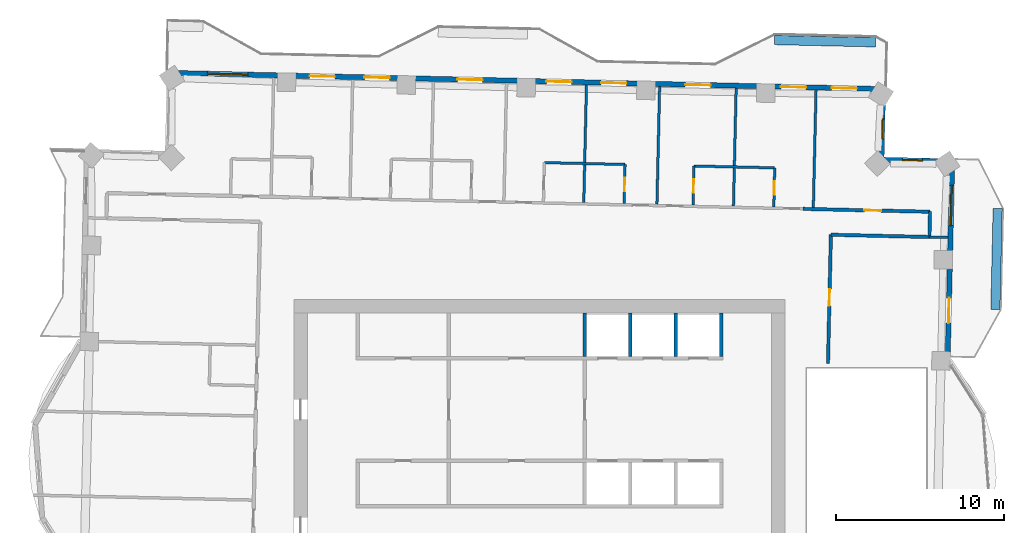
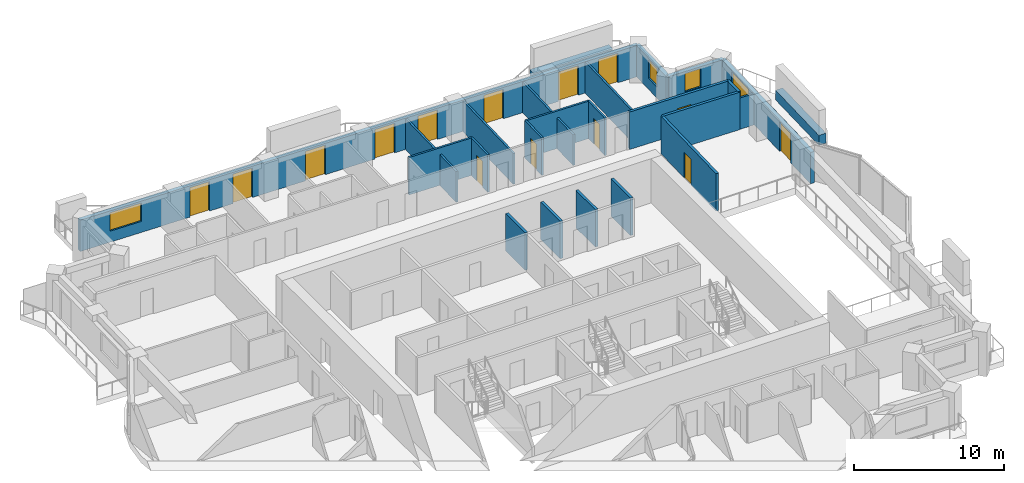
# One storey, part 9 of 14: 24 walls, 14 doors, 4 windows, 18 openings.
"""IFC4 building model written with IfcOpenShell, lengths in metres."""

from ifc_helpers import new_model, si_unit, direction, frame, frame_2d, origin, place, context, subcontext, project, spatial, rectangle, extrude, material, layer, layer_set, type_object, element, fill, save


model = new_model("IFC4")

# Units and contexts
model_context = context("Model", 3, precision=1e-05, world=origin(), true_north=direction((0.0, 1.0)))
body_context = subcontext(model_context, "Body", "Model", "MODEL_VIEW")
ifc_project = project(units=[si_unit("LENGTHUNIT", "METRE"), si_unit("AREAUNIT", "SQUARE_METRE"), si_unit("VOLUMEUNIT", "CUBIC_METRE"), si_unit("PLANEANGLEUNIT", "RADIAN"), si_unit("MASSUNIT", "GRAM", prefix="KILO")], contexts=[model_context])

# Site, building, storey
site_placement = place(None, origin())
site = spatial("IfcSite", under=ifc_project, at=site_placement, CompositionType="ELEMENT")
building_placement = place(site_placement, origin())
building = spatial("IfcBuilding", under=site, at=building_placement, Name="Mangrove Gate Tower", CompositionType="ELEMENT")
storey_placement = place(building_placement, frame((0.0, 0.0, 208.699951171875)))
storey = spatial("IfcBuildingStorey", under=building, at=storey_placement, Name="L53", CompositionType="ELEMENT", Elevation=208.699951171875)

# Walls
ifc_material_1 = material(Name="Concrete C60/75", Category="concrete")
ifc_layer_1 = layer(ifc_material_1, 0.199951171875)
ifc_layer_set_1 = layer_set([ifc_layer_1], Name="Core shaft wall 200 C60/75")
wall_type_1 = type_object("IfcWallType", Name="Core shaft wall 200 C60/75", PredefinedType="SHEAR", material=ifc_layer_set_1)
for number, where, z_axis, x_axis, name in (
    (1, (2.699951171875, 8.199951171875, 0.0), (0.0, 0.0, 1.0), (0.0, 1.0, 0.0), "WALL-L53-CORE-27"),
    (2, (5.39990234375, 8.199951171875, 0.0), (0.0, 0.0, 1.0), (0.0, 1.0, 0.0), "WALL-L53-CORE-28"),
    (3, (8.10009765625, 8.199951171875, 0.0), (0.0, 0.0, 1.0), (0.0, 1.0, 0.0), "WALL-L53-CORE-29"),
    (4, (10.800048828125, 8.199951171875, 0.0), (0.0, 0.0, 1.0), (0.0, 1.0, 0.0), "WALL-L53-CORE-30"),
):
    element("IfcWall", number, at=place(storey_placement, frame(where, z_axis=z_axis, x_axis=x_axis)), inside=storey, type_object=wall_type_1, Name=name, PredefinedType="SHEAR", context=body_context, shape_type="SweptSolid", body=[
        extrude(rectangle(XDim=2.60009765625, YDim=0.199951171875, at=frame_2d((1.300048828125, 0.0))), origin(), (0.0, 0.0, 1.0), 3.050048828125),
    ])

# Wall, opening, door
ifc_material_2 = material(Name="Gypsum board on steel stud, EI 60", Category="steel")
ifc_layer_2 = layer(ifc_material_2, 0.199951171875)
ifc_layer_set_2 = layer_set([ifc_layer_2], Name="Corridor wall EI 60")
wall_type_2 = type_object("IfcWallType", Name="Corridor wall EI 60", PredefinedType="PARTITIONING", material=ifc_layer_set_2)
wall_1_placement = place(storey_placement, frame((17.154052734375, 7.785888671875, 0.0), z_axis=(0.0, 0.0, 1.0), x_axis=(0.022680883318, 0.999742755679, 0.0)))
wall_1 = element("IfcWall", 5, at=wall_1_placement, inside=storey, type_object=wall_type_2, Name="WALL-L53-043", PredefinedType="PARTITIONING", context=body_context, shape_type="SweptSolid", body=[
    extrude(rectangle(XDim=7.6640625, YDim=0.199951171875, at=frame_2d((3.83203125, 0.0))), origin(), (0.0, 0.0, 1.0), 3.050048828125),
])
opening_1_placement = place(wall_1_placement, frame((3.43408203125, 0.0, 0.0)))
opening_1 = element("IfcOpeningElement", 6, at=opening_1_placement, cuts=wall_1, Name="Opening AD", PredefinedType="OPENING", context=body_context, shape_type="SweptSolid", body=[
    extrude(rectangle(XDim=1.0, YDim=2.10009765625, at=frame_2d((0.5, 1.050048828125))), frame((0.0, 0.10986328125, 0.0), z_axis=(0.0, -1.0, 0.0), x_axis=(1.0, 0.0, 0.0)), (0.0, 0.0, 1.0), 0.219970703125),
])
ifc_material_3 = material(Name="Timber door leaf", Category="wood")
door_type_1 = type_object("IfcDoorType", Name="Amenity door 1000", OperationType="SINGLE_SWING_LEFT", PredefinedType="DOOR", material=ifc_material_3)
door_1_placement = place(opening_1_placement, origin())
door_1 = element("IfcDoor", 7, at=door_1_placement, inside=storey, type_object=door_type_1, Name="DOOR-L53-LNG-c3b", OperationType="SINGLE_SWING_RIGHT", OverallHeight=2.10009765625, OverallWidth=1.0, PredefinedType="DOOR", context=body_context, shape_type="SweptSolid", body=[
    extrude(rectangle(XDim=1.0, YDim=2.10009765625, at=frame_2d((0.5, 1.050048828125))), frame((0.0, 0.02490234375, 0.0), z_axis=(0.0, -1.0, 0.0), x_axis=(1.0, 0.0, 0.0)), (0.0, 0.0, 1.0), 0.050048828125),
])
fill(opening_1, door_1)

# Walls
wall_2_placement = place(storey_placement, frame((17.322998046875, 15.444091796875, 0.0), z_axis=(0.0, 0.0, 1.0), x_axis=(0.999742758565, -0.022680756085, 0.0)))
element("IfcWall", 8, at=wall_2_placement, inside=storey, type_object=wall_type_2, Name="WALL-L53-047", PredefinedType="PARTITIONING", context=body_context, shape_type="SweptSolid", body=[
    extrude(rectangle(XDim=5.866455078125, YDim=0.199951171875, at=frame_2d((2.93310546875, 0.0))), origin(), (0.0, 0.0, 1.0), 3.050048828125),
])
wall_3_placement = place(storey_placement, frame((23.18603515625, 15.31494140625, 0.0), z_axis=(0.0, 0.0, 1.0), x_axis=(0.022617910375, 0.999744182344, 0.0)))
element("IfcWall", 9, at=wall_3_placement, inside=storey, type_object=wall_type_2, Name="WALL-L53-050", PredefinedType="PARTITIONING", context=body_context, shape_type="SweptSolid", body=[
    extrude(rectangle(XDim=1.50048828125, YDim=0.199951171875, at=frame_2d((0.750244140625, 0.0))), origin(), (0.0, 0.0, 1.0), 3.050048828125),
])

# Wall, opening, door
wall_4_placement = place(storey_placement, frame((15.657958984375, 16.98193359375, 0.0), z_axis=(0.0, 0.0, 1.0), x_axis=(0.99974485859, -0.022587999516, 0.0)))
wall_4 = element("IfcWall", 10, at=wall_4_placement, inside=storey, type_object=wall_type_2, Name="WALL-L53-053", PredefinedType="PARTITIONING", context=body_context, shape_type="SweptSolid", body=[
    extrude(rectangle(XDim=7.56591796875, YDim=0.199951171875, at=frame_2d((3.782958984375, 0.0))), origin(), (0.0, 0.0, 1.0), 3.050048828125),
])
opening_2_placement = place(wall_4_placement, frame((3.657958984375, 0.0, 0.0)))
opening_2 = element("IfcOpeningElement", 11, at=opening_2_placement, cuts=wall_4, Name="Opening AD", PredefinedType="OPENING", context=body_context, shape_type="SweptSolid", body=[
    extrude(rectangle(XDim=1.0, YDim=2.10009765625, at=frame_2d((0.5, 1.050048828125))), frame((0.0, 0.10986328125, 0.0), z_axis=(0.0, -1.0, 0.0), x_axis=(1.0, 0.0, 0.0)), (0.0, 0.0, 1.0), 0.219970703125),
])
door_2_placement = place(opening_2_placement, origin())
door_2 = element("IfcDoor", 12, at=door_2_placement, inside=storey, type_object=door_type_1, Name="DOOR-L53-STU-c3a", OperationType="SINGLE_SWING_LEFT", OverallHeight=2.10009765625, OverallWidth=1.0, PredefinedType="DOOR", context=body_context, shape_type="SweptSolid", body=[
    extrude(rectangle(XDim=1.0, YDim=2.10009765625, at=frame_2d((0.5, 1.050048828125))), frame((0.0, 0.02490234375, 0.0), z_axis=(0.0, -1.0, 0.0), x_axis=(1.0, 0.0, 0.0)), (0.0, 0.0, 1.0), 0.050048828125),
])
fill(opening_2, door_2)

# Wall, openings, door, window
ifc_material_4 = material(Name="Limestone", Category="masonry")
ifc_layer_3 = layer(ifc_material_4, 0.0400390625, Name="Limestone cladding")
ifc_material_5 = material(Name="Ventilated air gap")
ifc_layer_4 = layer(ifc_material_5, 0.0400390625, Name="Ventilated cavity")
ifc_material_6 = material(Name="Mineral wool insulation")
ifc_layer_5 = layer(ifc_material_6, 0.06005859375, Name="Insulation")
ifc_material_7 = material(Name="Breather membrane")
ifc_layer_6 = layer(ifc_material_7, 0.001953125, Name="Breather membrane")
ifc_material_8 = material(Name="Concrete C20/25 blockwork", Category="masonry")
ifc_layer_7 = layer(ifc_material_8, 0.14990234375, Name="Blockwork backing wall")
ifc_material_9 = material(Name="Gypsum plaster")
ifc_layer_8 = layer(ifc_material_9, 0.008056640625, Name="Internal plaster")
ifc_layer_set_3 = layer_set([ifc_layer_3, ifc_layer_4, ifc_layer_5, ifc_layer_6, ifc_layer_7, ifc_layer_8], Name="External wall 300 limestone cladding")
wall_type_3 = type_object("IfcWallType", Name="External wall 300 limestone cladding", PredefinedType="SOLIDWALL", material=ifc_layer_set_3)
wall_5_placement = place(storey_placement, frame((24.259033203125, 7.39111328125, 0.0), z_axis=(0.0, 0.0, 1.0), x_axis=(0.022696408441, 0.999742403344, 0.0)))
wall_5 = element("IfcWall", 13, at=wall_5_placement, inside=storey, type_object=wall_type_3, Name="WALL-L53-E2s1", PredefinedType="SOLIDWALL", context=body_context, shape_type="SweptSolid", body=[
    extrude(rectangle(XDim=12.424072265625, YDim=0.300048828125, at=frame_2d((6.2119140625, 0.0))), origin(), (0.0, 0.0, 1.0), 2.550048828125),
])
opening_3_placement = place(wall_5_placement, frame((2.805908203125, 0.0, 0.0)))
opening_3 = element("IfcOpeningElement", 14, at=opening_3_placement, cuts=wall_5, Name="Opening BD1", PredefinedType="OPENING", context=body_context, shape_type="SweptSolid", body=[
    extrude(rectangle(XDim=1.5, YDim=2.39990234375, at=frame_2d((0.75, 1.199951171875))), frame((0.0, 0.159912109375, 0.0), z_axis=(0.0, -1.0, 0.0), x_axis=(1.0, 0.0, 0.0)), (0.0, 0.0, 1.0), 0.320068359375),
])
opening_4_placement = place(wall_5_placement, frame((8.595947265625, 0.0, 0.89990234375)))
opening_4 = element("IfcOpeningElement", 15, at=opening_4_placement, cuts=wall_5, Name="Opening W2", PredefinedType="OPENING", context=body_context, shape_type="SweptSolid", body=[
    extrude(rectangle(XDim=2.39990234375, YDim=1.5, at=frame_2d((1.199951171875, 0.75))), frame((0.0, 0.159912109375, 0.0), z_axis=(0.0, -1.0, 0.0), x_axis=(1.0, 0.0, 0.0)), (0.0, 0.0, 1.0), 0.320068359375),
])
ifc_material_10 = material(Name="Aluminium frame with laminated clear glass", Category="aluminium")
door_type_2 = type_object("IfcDoorType", Name="Balcony sliding door 1500x2400", OperationType="SLIDING_TO_LEFT", PredefinedType="DOOR", material=ifc_material_10)
door_3_placement = place(opening_3_placement, origin())
door_3 = element("IfcDoor", 16, at=door_3_placement, inside=storey, type_object=door_type_2, Name="DOOR-L53-E2-1", OperationType="SLIDING_TO_LEFT", OverallHeight=2.39990234375, OverallWidth=1.5, PredefinedType="DOOR", context=body_context, shape_type="SweptSolid", body=[
    extrude(rectangle(XDim=1.5, YDim=2.39990234375, at=frame_2d((0.75, 1.199951171875))), frame((0.0, 0.02490234375, 0.0), z_axis=(0.0, -1.0, 0.0), x_axis=(1.0, 0.0, 0.0)), (0.0, 0.0, 1.0), 0.050048828125),
])
fill(opening_3, door_3)
ifc_material_11 = material(Name="Aluminium frame with double-glazed low-e glass", Category="aluminium")
window_type_1 = type_object("IfcWindowType", Name="Corner room window 2400x1500", PartitioningType="DOUBLE_PANEL_VERTICAL", PredefinedType="WINDOW", material=ifc_material_11)
window_1_placement = place(opening_4_placement, origin())
window_1 = element("IfcWindow", 17, at=window_1_placement, inside=storey, type_object=window_type_1, Name="WIN-L53-E2-2", OverallHeight=1.5, OverallWidth=2.39990234375, PartitioningType="DOUBLE_PANEL_VERTICAL", PredefinedType="WINDOW", context=body_context, shape_type="SweptSolid", body=[
    extrude(rectangle(XDim=2.39990234375, YDim=1.5, at=frame_2d((1.199951171875, 0.75))), frame((0.0, 0.030029296875, 0.0), z_axis=(0.0, -1.0, 0.0), x_axis=(1.0, 0.0, 0.0)), (0.0, 0.0, 1.0), 0.06005859375),
])
fill(opening_4, window_1)

# Wall, opening, window
wall_6_placement = place(storey_placement, frame((24.541015625, 19.81201171875, 0.0), z_axis=(0.0, 0.0, 1.0), x_axis=(-0.999744320311, 0.022611811187, 0.0)))
wall_6 = element("IfcWall", 18, at=wall_6_placement, inside=storey, type_object=wall_type_3, Name="WALL-L53-N3", PredefinedType="SOLIDWALL", context=body_context, shape_type="SweptSolid", body=[
    extrude(rectangle(XDim=4.199951171875, YDim=0.300048828125, at=frame_2d((2.10009765625, 0.0))), origin(), (0.0, 0.0, 1.0), 2.550048828125),
])
opening_5_placement = place(wall_6_placement, frame((1.763916015625, 0.0, 0.89990234375)))
opening_5 = element("IfcOpeningElement", 19, at=opening_5_placement, cuts=wall_6, Name="Opening W1", PredefinedType="OPENING", context=body_context, shape_type="SweptSolid", body=[
    extrude(rectangle(XDim=1.199951171875, YDim=1.5, at=frame_2d((0.60009765625, 0.75))), frame((0.0, 0.159912109375, 0.0), z_axis=(0.0, -1.0, 0.0), x_axis=(1.0, 0.0, 0.0)), (0.0, 0.0, 1.0), 0.320068359375),
])
ifc_material_12 = material(Name="Aluminium frame with double-glazed low-e glass", Category="aluminium")
window_type_2 = type_object("IfcWindowType", Name="Side lite 1200x1500", PartitioningType="SINGLE_PANEL", PredefinedType="WINDOW", material=ifc_material_12)
window_2_placement = place(opening_5_placement, origin())
window_2 = element("IfcWindow", 20, at=window_2_placement, inside=storey, type_object=window_type_2, Name="WIN-L53-N3-1", OverallHeight=1.5, OverallWidth=1.199951171875, PartitioningType="SINGLE_PANEL", PredefinedType="WINDOW", context=body_context, shape_type="SweptSolid", body=[
    extrude(rectangle(XDim=1.199951171875, YDim=1.5, at=frame_2d((0.60009765625, 0.75))), frame((0.0, 0.030029296875, 0.0), z_axis=(0.0, -1.0, 0.0), x_axis=(1.0, 0.0, 0.0)), (0.0, 0.0, 1.0), 0.06005859375),
])
fill(opening_5, window_2)

wall_7_placement = place(storey_placement, frame((20.342041015625, 19.906982421875, 0.0), z_axis=(0.0, 0.0, 1.0), x_axis=(0.022611811187, 0.999744320311, 0.0)))
wall_7 = element("IfcWall", 21, at=wall_7_placement, inside=storey, type_object=wall_type_3, Name="WALL-L53-E4", PredefinedType="SOLIDWALL", context=body_context, shape_type="SweptSolid", body=[
    extrude(rectangle(XDim=4.199951171875, YDim=0.300048828125, at=frame_2d((2.10009765625, 0.0))), origin(), (0.0, 0.0, 1.0), 2.550048828125),
])
opening_6_placement = place(wall_7_placement, frame((1.23095703125, 0.0, 0.89990234375)))
opening_6 = element("IfcOpeningElement", 22, at=opening_6_placement, cuts=wall_7, Name="Opening W1", PredefinedType="OPENING", context=body_context, shape_type="SweptSolid", body=[
    extrude(rectangle(XDim=1.199951171875, YDim=1.5, at=frame_2d((0.60009765625, 0.75))), frame((0.0, 0.159912109375, 0.0), z_axis=(0.0, -1.0, 0.0), x_axis=(1.0, 0.0, 0.0)), (0.0, 0.0, 1.0), 0.320068359375),
])
window_3_placement = place(opening_6_placement, origin())
window_3 = element("IfcWindow", 23, at=window_3_placement, inside=storey, type_object=window_type_2, Name="WIN-L53-E4-1", OverallHeight=1.5, OverallWidth=1.199951171875, PartitioningType="SINGLE_PANEL", PredefinedType="WINDOW", context=body_context, shape_type="SweptSolid", body=[
    extrude(rectangle(XDim=1.199951171875, YDim=1.5, at=frame_2d((0.60009765625, 0.75))), frame((0.0, 0.030029296875, 0.0), z_axis=(0.0, -1.0, 0.0), x_axis=(1.0, 0.0, 0.0)), (0.0, 0.0, 1.0), 0.06005859375),
])
fill(opening_6, window_3)

# Wall, openings, doors, window
wall_8_placement = place(storey_placement, frame((20.43701171875, 24.10595703125, 0.0), z_axis=(0.0, 0.0, 1.0), x_axis=(-0.999742506232, 0.022691875925, 0.0)))
wall_8 = element("IfcWall", 24, at=wall_8_placement, inside=storey, type_object=wall_type_3, Name="WALL-L53-N5", PredefinedType="SOLIDWALL", context=body_context, shape_type="SweptSolid", body=[
    extrude(rectangle(XDim=42.444091796875, YDim=0.300048828125, at=frame_2d((21.22216796875, 0.0))), origin(), (0.0, 0.0, 1.0), 2.550048828125),
])
opening_7_placement = place(wall_8_placement, frame((1.56298828125, 0.0, 0.0)))
opening_7 = element("IfcOpeningElement", 25, at=opening_7_placement, cuts=wall_8, Name="Opening BD1", PredefinedType="OPENING", context=body_context, shape_type="SweptSolid", body=[
    extrude(rectangle(XDim=1.5, YDim=2.39990234375, at=frame_2d((0.75, 1.199951171875))), frame((0.0, 0.159912109375, 0.0), z_axis=(0.0, -1.0, 0.0), x_axis=(1.0, 0.0, 0.0)), (0.0, 0.0, 1.0), 0.320068359375),
])
opening_8_placement = place(wall_8_placement, frame((4.583984375, 0.0, 0.0)))
opening_8 = element("IfcOpeningElement", 26, at=opening_8_placement, cuts=wall_8, Name="Opening BD1", PredefinedType="OPENING", context=body_context, shape_type="SweptSolid", body=[
    extrude(rectangle(XDim=1.5, YDim=2.39990234375, at=frame_2d((0.75, 1.199951171875))), frame((0.0, 0.159912109375, 0.0), z_axis=(0.0, -1.0, 0.0), x_axis=(1.0, 0.0, 0.0)), (0.0, 0.0, 1.0), 0.320068359375),
])
opening_9_placement = place(wall_8_placement, frame((10.26904296875, 0.0, 0.0)))
opening_9 = element("IfcOpeningElement", 27, at=opening_9_placement, cuts=wall_8, Name="Opening BD1", PredefinedType="OPENING", context=body_context, shape_type="SweptSolid", body=[
    extrude(rectangle(XDim=1.5, YDim=2.39990234375, at=frame_2d((0.75, 1.199951171875))), frame((0.0, 0.159912109375, 0.0), z_axis=(0.0, -1.0, 0.0), x_axis=(1.0, 0.0, 0.0)), (0.0, 0.0, 1.0), 0.320068359375),
])
opening_10_placement = place(wall_8_placement, frame((15.27099609375, 0.0, 0.0)))
opening_10 = element("IfcOpeningElement", 28, at=opening_10_placement, cuts=wall_8, Name="Opening BD1", PredefinedType="OPENING", context=body_context, shape_type="SweptSolid", body=[
    extrude(rectangle(XDim=1.5, YDim=2.39990234375, at=frame_2d((0.75, 1.199951171875))), frame((0.0, 0.159912109375, 0.0), z_axis=(0.0, -1.0, 0.0), x_axis=(1.0, 0.0, 0.0)), (0.0, 0.0, 1.0), 0.320068359375),
])
opening_11_placement = place(wall_8_placement, frame((18.532958984375, 0.0, 0.0)))
opening_11 = element("IfcOpeningElement", 29, at=opening_11_placement, cuts=wall_8, Name="Opening BD1", PredefinedType="OPENING", context=body_context, shape_type="SweptSolid", body=[
    extrude(rectangle(XDim=1.5, YDim=2.39990234375, at=frame_2d((0.75, 1.199951171875))), frame((0.0, 0.159912109375, 0.0), z_axis=(0.0, -1.0, 0.0), x_axis=(1.0, 0.0, 0.0)), (0.0, 0.0, 1.0), 0.320068359375),
])
opening_12_placement = place(wall_8_placement, frame((23.819091796875, 0.0, 0.0)))
opening_12 = element("IfcOpeningElement", 30, at=opening_12_placement, cuts=wall_8, Name="Opening BD1", PredefinedType="OPENING", context=body_context, shape_type="SweptSolid", body=[
    extrude(rectangle(XDim=1.5, YDim=2.39990234375, at=frame_2d((0.75, 1.199951171875))), frame((0.0, 0.159912109375, 0.0), z_axis=(0.0, -1.0, 0.0), x_axis=(1.0, 0.0, 0.0)), (0.0, 0.0, 1.0), 0.320068359375),
])
opening_13_placement = place(wall_8_placement, frame((29.344970703125, 0.0, 0.0)))
opening_13 = element("IfcOpeningElement", 31, at=opening_13_placement, cuts=wall_8, Name="Opening BD1", PredefinedType="OPENING", context=body_context, shape_type="SweptSolid", body=[
    extrude(rectangle(XDim=1.5, YDim=2.39990234375, at=frame_2d((0.75, 1.199951171875))), frame((0.0, 0.159912109375, 0.0), z_axis=(0.0, -1.0, 0.0), x_axis=(1.0, 0.0, 0.0)), (0.0, 0.0, 1.0), 0.320068359375),
])
opening_14_placement = place(wall_8_placement, frame((32.60693359375, 0.0, 0.0)))
opening_14 = element("IfcOpeningElement", 32, at=opening_14_placement, cuts=wall_8, Name="Opening BD1", PredefinedType="OPENING", context=body_context, shape_type="SweptSolid", body=[
    extrude(rectangle(XDim=1.5, YDim=2.39990234375, at=frame_2d((0.75, 1.199951171875))), frame((0.0, 0.159912109375, 0.0), z_axis=(0.0, -1.0, 0.0), x_axis=(1.0, 0.0, 0.0)), (0.0, 0.0, 1.0), 0.320068359375),
])
opening_15_placement = place(wall_8_placement, frame((37.782958984375, 0.0, 0.89990234375)))
opening_15 = element("IfcOpeningElement", 33, at=opening_15_placement, cuts=wall_8, Name="Opening W2", PredefinedType="OPENING", context=body_context, shape_type="SweptSolid", body=[
    extrude(rectangle(XDim=2.39990234375, YDim=1.5, at=frame_2d((1.199951171875, 0.75))), frame((0.0, 0.159912109375, 0.0), z_axis=(0.0, -1.0, 0.0), x_axis=(1.0, 0.0, 0.0)), (0.0, 0.0, 1.0), 0.320068359375),
])
door_4_placement = place(opening_7_placement, origin())
door_4 = element("IfcDoor", 34, at=door_4_placement, inside=storey, type_object=door_type_2, Name="DOOR-L53-N5-1", OperationType="SLIDING_TO_LEFT", OverallHeight=2.39990234375, OverallWidth=1.5, PredefinedType="DOOR", context=body_context, shape_type="SweptSolid", body=[
    extrude(rectangle(XDim=1.5, YDim=2.39990234375, at=frame_2d((0.75, 1.199951171875))), frame((0.0, 0.02490234375, 0.0), z_axis=(0.0, -1.0, 0.0), x_axis=(1.0, 0.0, 0.0)), (0.0, 0.0, 1.0), 0.050048828125),
])
fill(opening_7, door_4)
door_5_placement = place(opening_8_placement, origin())
door_5 = element("IfcDoor", 35, at=door_5_placement, inside=storey, type_object=door_type_2, Name="DOOR-L53-N5-2", OperationType="SLIDING_TO_LEFT", OverallHeight=2.39990234375, OverallWidth=1.5, PredefinedType="DOOR", context=body_context, shape_type="SweptSolid", body=[
    extrude(rectangle(XDim=1.5, YDim=2.39990234375, at=frame_2d((0.75, 1.199951171875))), frame((0.0, 0.02490234375, 0.0), z_axis=(0.0, -1.0, 0.0), x_axis=(1.0, 0.0, 0.0)), (0.0, 0.0, 1.0), 0.050048828125),
])
fill(opening_8, door_5)
door_6_placement = place(opening_9_placement, origin())
door_6 = element("IfcDoor", 36, at=door_6_placement, inside=storey, type_object=door_type_2, Name="DOOR-L53-N5-3", OperationType="SLIDING_TO_LEFT", OverallHeight=2.39990234375, OverallWidth=1.5, PredefinedType="DOOR", context=body_context, shape_type="SweptSolid", body=[
    extrude(rectangle(XDim=1.5, YDim=2.39990234375, at=frame_2d((0.75, 1.199951171875))), frame((0.0, 0.02490234375, 0.0), z_axis=(0.0, -1.0, 0.0), x_axis=(1.0, 0.0, 0.0)), (0.0, 0.0, 1.0), 0.050048828125),
])
fill(opening_9, door_6)
door_7_placement = place(opening_10_placement, origin())
door_7 = element("IfcDoor", 37, at=door_7_placement, inside=storey, type_object=door_type_2, Name="DOOR-L53-N5-4", OperationType="SLIDING_TO_LEFT", OverallHeight=2.39990234375, OverallWidth=1.5, PredefinedType="DOOR", context=body_context, shape_type="SweptSolid", body=[
    extrude(rectangle(XDim=1.5, YDim=2.39990234375, at=frame_2d((0.75, 1.199951171875))), frame((0.0, 0.02490234375, 0.0), z_axis=(0.0, -1.0, 0.0), x_axis=(1.0, 0.0, 0.0)), (0.0, 0.0, 1.0), 0.050048828125),
])
fill(opening_10, door_7)
door_8_placement = place(opening_11_placement, origin())
door_8 = element("IfcDoor", 38, at=door_8_placement, inside=storey, type_object=door_type_2, Name="DOOR-L53-N5-5", OperationType="SLIDING_TO_LEFT", OverallHeight=2.39990234375, OverallWidth=1.5, PredefinedType="DOOR", context=body_context, shape_type="SweptSolid", body=[
    extrude(rectangle(XDim=1.5, YDim=2.39990234375, at=frame_2d((0.75, 1.199951171875))), frame((0.0, 0.02490234375, 0.0), z_axis=(0.0, -1.0, 0.0), x_axis=(1.0, 0.0, 0.0)), (0.0, 0.0, 1.0), 0.050048828125),
])
fill(opening_11, door_8)
door_9_placement = place(opening_12_placement, origin())
door_9 = element("IfcDoor", 39, at=door_9_placement, inside=storey, type_object=door_type_2, Name="DOOR-L53-N5-6", OperationType="SLIDING_TO_LEFT", OverallHeight=2.39990234375, OverallWidth=1.5, PredefinedType="DOOR", context=body_context, shape_type="SweptSolid", body=[
    extrude(rectangle(XDim=1.5, YDim=2.39990234375, at=frame_2d((0.75, 1.199951171875))), frame((0.0, 0.02490234375, 0.0), z_axis=(0.0, -1.0, 0.0), x_axis=(1.0, 0.0, 0.0)), (0.0, 0.0, 1.0), 0.050048828125),
])
fill(opening_12, door_9)
door_10_placement = place(opening_13_placement, origin())
door_10 = element("IfcDoor", 40, at=door_10_placement, inside=storey, type_object=door_type_2, Name="DOOR-L53-N5-7", OperationType="SLIDING_TO_LEFT", OverallHeight=2.39990234375, OverallWidth=1.5, PredefinedType="DOOR", context=body_context, shape_type="SweptSolid", body=[
    extrude(rectangle(XDim=1.5, YDim=2.39990234375, at=frame_2d((0.75, 1.199951171875))), frame((0.0, 0.02490234375, 0.0), z_axis=(0.0, -1.0, 0.0), x_axis=(1.0, 0.0, 0.0)), (0.0, 0.0, 1.0), 0.050048828125),
])
fill(opening_13, door_10)
door_11_placement = place(opening_14_placement, origin())
door_11 = element("IfcDoor", 41, at=door_11_placement, inside=storey, type_object=door_type_2, Name="DOOR-L53-N5-8", OperationType="SLIDING_TO_LEFT", OverallHeight=2.39990234375, OverallWidth=1.5, PredefinedType="DOOR", context=body_context, shape_type="SweptSolid", body=[
    extrude(rectangle(XDim=1.5, YDim=2.39990234375, at=frame_2d((0.75, 1.199951171875))), frame((0.0, 0.02490234375, 0.0), z_axis=(0.0, -1.0, 0.0), x_axis=(1.0, 0.0, 0.0)), (0.0, 0.0, 1.0), 0.050048828125),
])
fill(opening_14, door_11)
window_4_placement = place(opening_15_placement, origin())
window_4 = element("IfcWindow", 42, at=window_4_placement, inside=storey, type_object=window_type_1, Name="WIN-L53-N5-9", OverallHeight=1.5, OverallWidth=2.39990234375, PartitioningType="DOUBLE_PANEL_VERTICAL", PredefinedType="WINDOW", context=body_context, shape_type="SweptSolid", body=[
    extrude(rectangle(XDim=2.39990234375, YDim=1.5, at=frame_2d((1.199951171875, 0.75))), frame((0.0, 0.030029296875, 0.0), z_axis=(0.0, -1.0, 0.0), x_axis=(1.0, 0.0, 0.0)), (0.0, 0.0, 1.0), 0.06005859375),
])
fill(opening_15, window_4)

# Walls
ifc_material_13 = material(Name="Gypsum board on steel stud, EI 60", Category="steel")
ifc_layer_9 = layer(ifc_material_13, 0.14990234375)
ifc_layer_set_4 = layer_set([ifc_layer_9], Name="Party wall 150 EI 60")
wall_type_4 = type_object("IfcWallType", Name="Party wall 150 EI 60", PredefinedType="PARTITIONING", material=ifc_layer_set_4)
wall_9_placement = place(storey_placement, frame((23.18798828125, 15.31103515625, 0.0), z_axis=(0.0, 0.0, 1.0), x_axis=(0.999738848859, -0.022852441507, 0.0)))
element("IfcWall", 43, at=wall_9_placement, inside=storey, type_object=wall_type_4, Name="WALL-L53-048", PredefinedType="PARTITIONING", context=body_context, shape_type="SweptSolid", body=[
    extrude(rectangle(XDim=1.100341796875, YDim=0.14990234375, at=frame_2d((0.55029296875, 0.0))), origin(), (0.0, 0.0, 1.0), 2.550048828125),
])
wall_10_placement = place(storey_placement, frame((2.636962890625, 17.35693359375, 0.0), z_axis=(0.0, 0.0, 1.0), x_axis=(0.022702393474, 0.999742267452, 0.0)))
element("IfcWall", 44, at=wall_10_placement, inside=storey, type_object=wall_type_4, Name="WALL-L53-063", PredefinedType="PARTITIONING", context=body_context, shape_type="SweptSolid", body=[
    extrude(rectangle(XDim=7.000732421875, YDim=0.14990234375, at=frame_2d((3.50048828125, 0.0))), origin(), (0.0, 0.0, 1.0), 2.5),
])

# Wall, opening, door
wall_11_placement = place(storey_placement, frame((5.037109375, 17.302001953125, 0.0), z_axis=(0.0, 0.0, 1.0), x_axis=(0.022781023197, 0.999740478815, 0.0)))
wall_11 = element("IfcWall", 45, at=wall_11_placement, inside=storey, type_object=wall_type_4, Name="WALL-L53-064", PredefinedType="PARTITIONING", context=body_context, shape_type="SweptSolid", body=[
    extrude(rectangle(XDim=2.325439453125, YDim=0.14990234375, at=frame_2d((1.16259765625, 0.0))), origin(), (0.0, 0.0, 1.0), 3.050048828125),
])
opening_16_placement = place(wall_11_placement, frame((0.72509765625, 0.0, 0.0)))
opening_16 = element("IfcOpeningElement", 46, at=opening_16_placement, cuts=wall_11, Name="Opening ED", PredefinedType="OPENING", context=body_context, shape_type="SweptSolid", body=[
    extrude(rectangle(XDim=0.800048828125, YDim=2.10009765625, at=frame_2d((0.39990234375, 1.050048828125))), frame((0.0, 0.0849609375, 0.0), z_axis=(0.0, -1.0, 0.0), x_axis=(1.0, 0.0, 0.0)), (0.0, 0.0, 1.0), 0.169921875),
])
ifc_material_14 = material(Name="Timber door leaf", Category="wood")
door_type_3 = type_object("IfcDoorType", Name="En-suite door 800", OperationType="SINGLE_SWING_LEFT", PredefinedType="DOOR", material=ifc_material_14)
door_12_placement = place(opening_16_placement, origin())
door_12 = element("IfcDoor", 47, at=door_12_placement, inside=storey, type_object=door_type_3, Name="DOOR-L53-ENS-c410", OperationType="SINGLE_SWING_RIGHT", OverallHeight=2.10009765625, OverallWidth=0.800048828125, PredefinedType="DOOR", context=body_context, shape_type="SweptSolid", body=[
    extrude(rectangle(XDim=0.800048828125, YDim=2.10009765625, at=frame_2d((0.39990234375, 1.050048828125))), frame((0.0, 0.02490234375, 0.0), z_axis=(0.0, -1.0, 0.0), x_axis=(1.0, 0.0, 0.0)), (0.0, 0.0, 1.0), 0.050048828125),
])
fill(opening_16, door_12)

# Wall
wall_12_placement = place(storey_placement, frame((6.986083984375, 17.258056640625, 0.0), z_axis=(0.0, 0.0, 1.0), x_axis=(0.022699227919, 0.999742339331, 0.0)))
element("IfcWall", 48, at=wall_12_placement, inside=storey, type_object=wall_type_4, Name="WALL-L53-065", PredefinedType="PARTITIONING", context=body_context, shape_type="SweptSolid", body=[
    extrude(rectangle(XDim=7.001708984375, YDim=0.14990234375, at=frame_2d((3.5009765625, 0.0))), origin(), (0.0, 0.0, 1.0), 2.5),
])

# Wall, opening, door
wall_13_placement = place(storey_placement, frame((9.135986328125, 17.208984375, 0.0), z_axis=(0.0, 0.0, 1.0), x_axis=(0.022781023197, 0.999740478815, 0.0)))
wall_13 = element("IfcWall", 49, at=wall_13_placement, inside=storey, type_object=wall_type_4, Name="WALL-L53-066", PredefinedType="PARTITIONING", context=body_context, shape_type="SweptSolid", body=[
    extrude(rectangle(XDim=2.325439453125, YDim=0.14990234375, at=frame_2d((1.16259765625, 0.0))), origin(), (0.0, 0.0, 1.0), 3.050048828125),
])
opening_17_placement = place(wall_13_placement, frame((0.72509765625, 0.0, 0.0)))
opening_17 = element("IfcOpeningElement", 50, at=opening_17_placement, cuts=wall_13, Name="Opening ED", PredefinedType="OPENING", context=body_context, shape_type="SweptSolid", body=[
    extrude(rectangle(XDim=0.800048828125, YDim=2.10009765625, at=frame_2d((0.39990234375, 1.050048828125))), frame((0.0, 0.0849609375, 0.0), z_axis=(0.0, -1.0, 0.0), x_axis=(1.0, 0.0, 0.0)), (0.0, 0.0, 1.0), 0.169921875),
])
door_13_placement = place(opening_17_placement, origin())
door_13 = element("IfcDoor", 51, at=door_13_placement, inside=storey, type_object=door_type_3, Name="DOOR-L53-ENS-c309", OperationType="SINGLE_SWING_LEFT", OverallHeight=2.10009765625, OverallWidth=0.800048828125, PredefinedType="DOOR", context=body_context, shape_type="SweptSolid", body=[
    extrude(rectangle(XDim=0.800048828125, YDim=2.10009765625, at=frame_2d((0.39990234375, 1.050048828125))), frame((0.0, 0.02490234375, 0.0), z_axis=(0.0, -1.0, 0.0), x_axis=(1.0, 0.0, 0.0)), (0.0, 0.0, 1.0), 0.050048828125),
])
fill(opening_17, door_13)

# Wall
wall_14_placement = place(storey_placement, frame((11.534912109375, 17.155029296875, 0.0), z_axis=(0.0, 0.0, 1.0), x_axis=(0.022737248567, 0.999741475346, 0.0)))
element("IfcWall", 52, at=wall_14_placement, inside=storey, type_object=wall_type_4, Name="WALL-L53-067", PredefinedType="PARTITIONING", context=body_context, shape_type="SweptSolid", body=[
    extrude(rectangle(XDim=7.000732421875, YDim=0.14990234375, at=frame_2d((3.50048828125, 0.0))), origin(), (0.0, 0.0, 1.0), 2.5),
])

# Wall, opening, door
wall_15_placement = place(storey_placement, frame((13.93505859375, 17.10107421875, 0.0), z_axis=(0.0, 0.0, 1.0), x_axis=(0.022370700241, 0.999749744571, 0.0)))
wall_15 = element("IfcWall", 53, at=wall_15_placement, inside=storey, type_object=wall_type_4, Name="WALL-L53-068", PredefinedType="PARTITIONING", context=body_context, shape_type="SweptSolid", body=[
    extrude(rectangle(XDim=2.324462890625, YDim=0.14990234375, at=frame_2d((1.162109375, 0.0))), origin(), (0.0, 0.0, 1.0), 3.050048828125),
])
opening_18_placement = place(wall_15_placement, frame((0.72509765625, 0.0, 0.0)))
opening_18 = element("IfcOpeningElement", 54, at=opening_18_placement, cuts=wall_15, Name="Opening ED", PredefinedType="OPENING", context=body_context, shape_type="SweptSolid", body=[
    extrude(rectangle(XDim=0.800048828125, YDim=2.10009765625, at=frame_2d((0.39990234375, 1.050048828125))), frame((0.0, 0.0849609375, 0.0), z_axis=(0.0, -1.0, 0.0), x_axis=(1.0, 0.0, 0.0)), (0.0, 0.0, 1.0), 0.169921875),
])
door_14_placement = place(opening_18_placement, origin())
door_14 = element("IfcDoor", 55, at=door_14_placement, inside=storey, type_object=door_type_3, Name="DOOR-L53-ENS-c308", OperationType="SINGLE_SWING_RIGHT", OverallHeight=2.10009765625, OverallWidth=0.800048828125, PredefinedType="DOOR", context=body_context, shape_type="SweptSolid", body=[
    extrude(rectangle(XDim=0.800048828125, YDim=2.10009765625, at=frame_2d((0.39990234375, 1.050048828125))), frame((0.0, 0.02490234375, 0.0), z_axis=(0.0, -1.0, 0.0), x_axis=(1.0, 0.0, 0.0)), (0.0, 0.0, 1.0), 0.050048828125),
])
fill(opening_18, door_14)

# Walls
wall_16_placement = place(storey_placement, frame((16.283935546875, 17.072021484375, 0.0), z_axis=(0.0, 0.0, 1.0), x_axis=(0.022815200701, 0.99973969943, 0.0)))
element("IfcWall", 56, at=wall_16_placement, inside=storey, type_object=wall_type_4, Name="WALL-L53-069", PredefinedType="PARTITIONING", context=body_context, shape_type="SweptSolid", body=[
    extrude(rectangle(XDim=6.976806640625, YDim=0.14990234375, at=frame_2d((3.48828125, 0.0))), origin(), (0.0, 0.0, 1.0), 2.550048828125),
])
wall_17_placement = place(storey_placement, frame((0.2890625, 19.73193359375, 0.0), z_axis=(0.0, 0.0, 1.0), x_axis=(0.999742570398, -0.022689048768, 0.0)))
element("IfcWall", 57, at=wall_17_placement, inside=storey, type_object=wall_type_4, Name="WALL-L53-073", PredefinedType="PARTITIONING", context=body_context, shape_type="SweptSolid", body=[
    extrude(rectangle(XDim=4.799072265625, YDim=0.14990234375, at=frame_2d((2.3994140625, 0.0))), origin(), (0.0, 0.0, 1.0), 3.050048828125),
])
wall_18_placement = place(storey_placement, frame((9.18603515625, 19.530029296875, 0.0), z_axis=(0.0, 0.0, 1.0), x_axis=(0.99974154664, -0.022734113616, 0.0)))
element("IfcWall", 58, at=wall_18_placement, inside=storey, type_object=wall_type_4, Name="WALL-L53-074", PredefinedType="PARTITIONING", context=body_context, shape_type="SweptSolid", body=[
    extrude(rectangle(XDim=4.80029296875, YDim=0.14990234375, at=frame_2d((2.400146484375, 0.0))), origin(), (0.0, 0.0, 1.0), 3.050048828125),
])
ifc_material_15 = material(Name="Concrete C32/40", Category="concrete")
ifc_layer_10 = layer(ifc_material_15, 0.199951171875, Name="Planter trough wall")
ifc_material_16 = material(Name="Bituminous waterproofing membrane")
ifc_layer_11 = layer(ifc_material_16, 0.0048828125, Name="Waterproofing")
ifc_material_17 = material(Name="Drainage board and gravel")
ifc_layer_12 = layer(ifc_material_17, 0.044921875, Name="Drainage layer")
ifc_material_18 = material(Name="Planting soil")
ifc_layer_13 = layer(ifc_material_18, 0.300048828125, Name="Growing medium")
ifc_layer_set_5 = layer_set([ifc_layer_10, ifc_layer_11, ifc_layer_12, ifc_layer_13], Name="Planter wall 550 C32/40")
wall_type_5 = type_object("IfcWallType", Name="Planter wall 550 C32/40", PredefinedType="USERDEFINED", material=ifc_layer_set_5)
for number, where, z_axis, x_axis, name in (
    (59, (27.10693359375, 11.0009765625, 0.0), (0.0, 0.0, 1.0), (0.022665943652, 0.999743094499, 0.0), "PLANTER L53 E1.1"),
    (60, (13.97998046875, 27.01806640625, 0.0), (0.0, 0.0, 1.0), (0.999743094499, -0.022665943652, 0.0), "PLANTER L53 N0.1"),
):
    element("IfcWall", number, at=place(storey_placement, frame(where, z_axis=z_axis, x_axis=x_axis)), inside=storey, type_object=wall_type_5, Name=name, ObjectType="PLANTER", PredefinedType="USERDEFINED", context=body_context, shape_type="SweptSolid", body=[
        extrude(rectangle(XDim=5.99951171875, YDim=0.550048828125, at=frame_2d((2.999755859375, 0.0))), origin(), (0.0, 0.0, 1.0), 0.800048828125),
    ])

save(model, "model.ifc")
